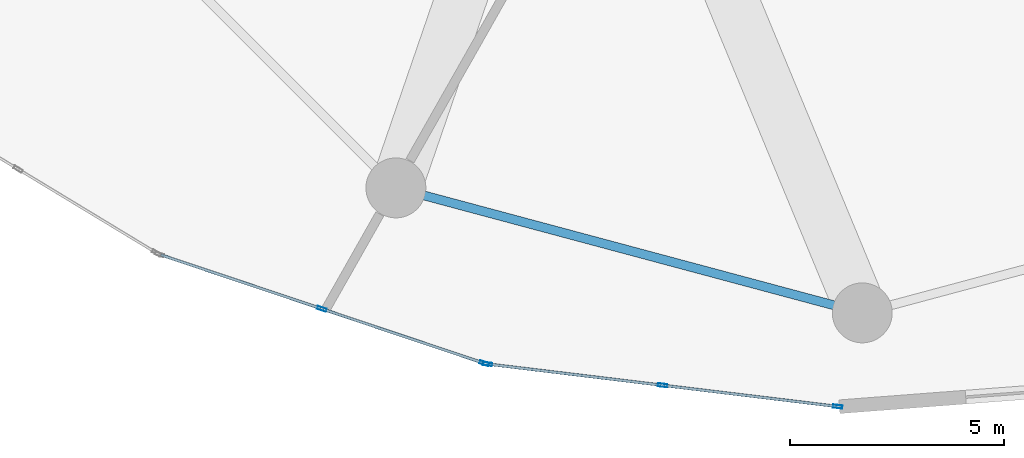
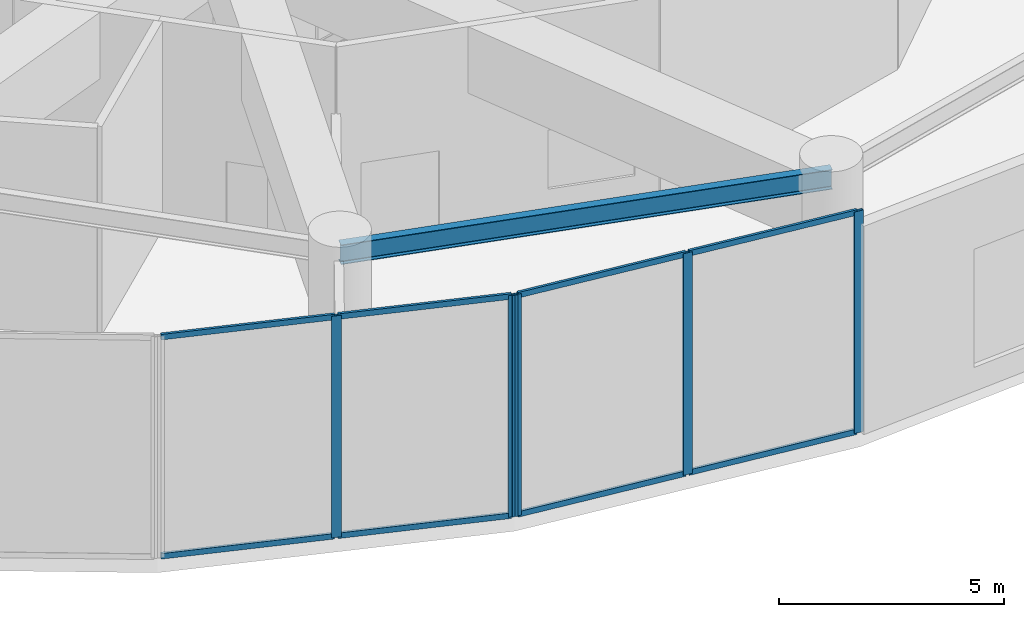
# One storey, part 5 of 28: 13 members, 1 beam, 2 elements without a shape of their own.
"""IFC4 building model written with IfcOpenShell, lengths in metres."""

from ifc_helpers import new_model, si_unit, direction, frame, origin, origin_2d, place, context, subcontext, project, spatial, hollow_rectangle, i_section, extrude, source, transform, mapped, material, layer, layer_set, material_profile, profile_set, type_object, element, aggregate, save


model = new_model("IFC4")

# Units and contexts
model_context = context("Model", 3, precision=1e-05, world=origin(), true_north=direction((0.0, 1.0)))
body_context = subcontext(model_context, "Body", "Model", "MODEL_VIEW")
ifc_project = project(units=[si_unit("LENGTHUNIT", "METRE"), si_unit("AREAUNIT", "SQUARE_METRE"), si_unit("VOLUMEUNIT", "CUBIC_METRE"), si_unit("PLANEANGLEUNIT", "RADIAN"), si_unit("MASSUNIT", "GRAM", prefix="KILO")], contexts=[model_context])

# Site, building, storey
site_placement = place(None, origin())
site = spatial("IfcSite", under=ifc_project, at=site_placement, CompositionType="ELEMENT")
building_placement = place(site_placement, origin())
building = spatial("IfcBuilding", under=site, at=building_placement, Name="Solvirekh Grand Hotel", CompositionType="ELEMENT")
storey_placement = place(building_placement, frame((0.0, 0.0, 12.60009765625)))
storey = spatial("IfcBuildingStorey", under=building, at=storey_placement, Name="L02", CompositionType="ELEMENT", Elevation=12.60009765625)

# Beam
ifc_material_1 = material(Name="Steel S355", Category="steel")
ifc_material_profile_1 = material_profile(ifc_material_1, i_section(OverallWidth=0.208984375, OverallDepth=0.532958984375, WebThickness=0.010009765625, FlangeThickness=0.014892578125, FilletRadius=0.013916015625, at=origin_2d()), Name="W530X92")
ifc_profile_set_1 = profile_set([ifc_material_profile_1], Name="Steel S355")
beam_type = type_object("IfcBeamType", Name="Spandrel_Ring_W530", PredefinedType="SPANDREL", material=ifc_profile_set_1)
beam_placement = place(storey_placement, frame((-10.89990234375, -18.87890625, 5.372802734375), z_axis=(0.965914248703, -0.258862249378, 0.0), x_axis=(0.258862249378, 0.965914248703, 0.0)))
element("IfcBeam", 1, at=beam_placement, inside=storey, type_object=beam_type, Name="L02 perimeter spandrel beam 9", PredefinedType="SPANDREL", context=body_context, shape_type="SweptSolid", body=[
    extrude(i_section(OverallWidth=0.208984375, OverallDepth=0.532958984375, WebThickness=0.010009765625, FlangeThickness=0.014892578125, FilletRadius=0.013916015625, at=origin_2d()), origin(), (0.0, 0.0, 1.0), 11.284423828125),
])

# Curtain wall, members
ifc_material_2 = material(Name="Anodized Bronze Aluminium 6063-T6", Category="aluminium")
ifc_layer = layer(ifc_material_2, 0.219970703125)
ifc_layer_set = layer_set([ifc_layer], Name="Anodized Bronze Aluminium 6063-T6")
curtain_wall_type = type_object("IfcCurtainWallType", Name="CW_Sys1_PodiumBronzeUnitised", PredefinedType="NOTDEFINED", material=ifc_layer_set)
curtain_wall_1_placement = place(storey_placement, origin())
curtain_wall_1 = element("IfcCurtainWall", 2, at=curtain_wall_1_placement, inside=storey, type_object=curtain_wall_type, Name="L02 unitised bronze-glass curtain wall CW-L02-C17", PredefinedType="NOTDEFINED")
ifc_material_profile_2 = material_profile(ifc_material_2, hollow_rectangle(XDim=0.074951171875, YDim=0.219970703125, WallThickness=0.006103515625, at=origin_2d()), Name="ALU RHS 220X75X6")
ifc_profile_set_2 = profile_set([ifc_material_profile_2], Name="Anodized Bronze Aluminium 6063-T6")
member_type_1 = type_object("IfcMemberType", Name="CWMullion_Sys1", PredefinedType="MULLION", material=ifc_profile_set_2)
shared_shape_1 = source(origin(), body_context, "Body", "SweptSolid", [
    extrude(hollow_rectangle(XDim=0.074951171875, YDim=0.219970703125, WallThickness=0.006103515625, at=origin_2d()), origin(), (0.0, 0.0, 1.0), 6.0),
])
member_1_placement = place(storey_placement, frame((-12.62890625, -21.70654296875, 0.0), z_axis=(0.0, 0.0, 1.0), x_axis=(0.317897817007, 0.948124980128, 0.0)))
member_1 = element("IfcMember", 3, at=member_1_placement, type_object=member_type_1, Name="U01 mullion 2", PredefinedType="MULLION", context=body_context, shape_type="MappedRepresentation", body=[
    mapped(shared_shape_1, transform((0.0, 0.0, 0.0), x_axis=(1.0, 0.0, 0.0), y_axis=(0.0, 1.0, 0.0), z_axis=(0.0, 0.0, 1.0), scale=1.0)),
])
member_2_placement = place(storey_placement, frame((-8.83349609375, -22.97900390625, 0.0), z_axis=(0.0, 0.0, 1.0), x_axis=(0.317897817007, 0.948124980128, 0.0)))
member_2 = element("IfcMember", 4, at=member_2_placement, type_object=member_type_1, Name="U01 mullion 3", PredefinedType="MULLION", context=body_context, shape_type="MappedRepresentation", body=[
    mapped(shared_shape_1, transform((0.0, 0.0, 0.0), x_axis=(1.0, 0.0, 0.0), y_axis=(0.0, 1.0, 0.0), z_axis=(0.0, 0.0, 1.0), scale=1.0)),
])

curtain_wall_2_placement = place(storey_placement, origin())
curtain_wall_2 = element("IfcCurtainWall", 5, at=curtain_wall_2_placement, inside=storey, type_object=curtain_wall_type, Name="L02 unitised bronze-glass curtain wall CW-L02-C18", PredefinedType="NOTDEFINED")
member_3_placement = place(storey_placement, frame((-8.7607421875, -22.99560546875, 0.0), z_axis=(0.0, 0.0, 1.0), x_axis=(0.12051436912, 0.992711582906, 0.0)))
member_3 = element("IfcMember", 6, at=member_3_placement, type_object=member_type_1, Name="U01 mullion 1", PredefinedType="MULLION", context=body_context, shape_type="MappedRepresentation", body=[
    mapped(shared_shape_1, transform((0.0, 0.0, 0.0), x_axis=(1.0, 0.0, 0.0), y_axis=(0.0, 1.0, 0.0), z_axis=(0.0, 0.0, 1.0), scale=1.0)),
])
member_4_placement = place(storey_placement, frame((-4.6669921875, -23.492431640625, 0.0), z_axis=(0.0, 0.0, 1.0), x_axis=(0.12051436912, 0.992711582906, 0.0)))
member_4 = element("IfcMember", 7, at=member_4_placement, type_object=member_type_1, Name="U01 mullion 2", PredefinedType="MULLION", context=body_context, shape_type="MappedRepresentation", body=[
    mapped(shared_shape_1, transform((0.0, 0.0, 0.0), x_axis=(1.0, 0.0, 0.0), y_axis=(0.0, 1.0, 0.0), z_axis=(0.0, 0.0, 1.0), scale=1.0)),
])
member_5_placement = place(storey_placement, frame((-0.5732421875, -23.989501953125, 0.0), z_axis=(0.0, 0.0, 1.0), x_axis=(0.12051436912, 0.992711582906, 0.0)))
member_5 = element("IfcMember", 8, at=member_5_placement, type_object=member_type_1, Name="U01 mullion 3", PredefinedType="MULLION", context=body_context, shape_type="MappedRepresentation", body=[
    mapped(shared_shape_1, transform((0.0, 0.0, 0.0), x_axis=(1.0, 0.0, 0.0), y_axis=(0.0, 1.0, 0.0), z_axis=(0.0, 0.0, 1.0), scale=1.0)),
])

# Member
ifc_material_profile_3 = material_profile(ifc_material_2, hollow_rectangle(XDim=0.06494140625, YDim=0.14990234375, WallThickness=0.0048828125, at=origin_2d()), Name="ALU RHS 150X65X5")
ifc_profile_set_3 = profile_set([ifc_material_profile_3], Name="Anodized Bronze Aluminium 6063-T6")
member_type_2 = type_object("IfcMemberType", Name="CWTransom_Sys1", PredefinedType="USERDEFINED", material=ifc_profile_set_3)
shared_shape_2 = source(origin(), body_context, "Body", "SweptSolid", [
    extrude(hollow_rectangle(XDim=0.06494140625, YDim=0.14990234375, WallThickness=0.0048828125, at=origin_2d()), origin(), (0.0, 0.0, 1.0), 3.92822265625),
])
member_6_placement = place(storey_placement, frame((-16.388916015625, -20.44580078125, 0.032470703125), z_axis=(0.948122449612, -0.317905364128, 0.0), x_axis=(0.317905364128, 0.948122449612, 0.0)))
member_6 = element("IfcMember", 9, at=member_6_placement, type_object=member_type_2, Name="U01 transom 1.1", ObjectType="TRANSOM", PredefinedType="USERDEFINED", context=body_context, shape_type="MappedRepresentation", body=[
    mapped(shared_shape_2, transform((0.0, 0.0, 0.0), x_axis=(1.0, 0.0, 0.0), y_axis=(0.0, 1.0, 0.0), z_axis=(0.0, 0.0, 1.0), scale=1.0)),
])

member_7_placement = place(storey_placement, frame((-16.388916015625, -20.44580078125, 5.96728515625), z_axis=(0.948122449612, -0.317905364128, 0.0), x_axis=(0.317905364128, 0.948122449612, 0.0)))
member_7 = element("IfcMember", 10, at=member_7_placement, type_object=member_type_2, Name="U01 transom 1.2", ObjectType="TRANSOM", PredefinedType="USERDEFINED", context=body_context, shape_type="MappedRepresentation", body=[
    mapped(shared_shape_2, transform((0.0, 0.0, 0.0), x_axis=(1.0, 0.0, 0.0), y_axis=(0.0, 1.0, 0.0), z_axis=(0.0, 0.0, 1.0), scale=1.0)),
])

shared_shape_3 = source(origin(), body_context, "Body", "SweptSolid", [
    extrude(hollow_rectangle(XDim=0.06494140625, YDim=0.14990234375, WallThickness=0.0048828125, at=origin_2d()), origin(), (0.0, 0.0, 1.0), 3.927978515625),
])
member_8_placement = place(storey_placement, frame((-12.593505859375, -21.718505859375, 0.032470703125), z_axis=(0.948141181646, -0.317849492162, 0.0), x_axis=(0.317849492162, 0.948141181646, 0.0)))
member_8 = element("IfcMember", 11, at=member_8_placement, type_object=member_type_2, Name="U01 transom 2.1", ObjectType="TRANSOM", PredefinedType="USERDEFINED", context=body_context, shape_type="MappedRepresentation", body=[
    mapped(shared_shape_3, transform((0.0, 0.0, 0.0), x_axis=(1.0, 0.0, 0.0), y_axis=(0.0, 1.0, 0.0), z_axis=(0.0, 0.0, 1.0), scale=1.0)),
])

member_9_placement = place(storey_placement, frame((-12.593505859375, -21.718505859375, 5.96728515625), z_axis=(0.948141181646, -0.317849492162, 0.0), x_axis=(0.317849492162, 0.948141181646, 0.0)))
member_9 = element("IfcMember", 12, at=member_9_placement, type_object=member_type_2, Name="U01 transom 2.2", ObjectType="TRANSOM", PredefinedType="USERDEFINED", context=body_context, shape_type="MappedRepresentation", body=[
    mapped(shared_shape_3, transform((0.0, 0.0, 0.0), x_axis=(1.0, 0.0, 0.0), y_axis=(0.0, 1.0, 0.0), z_axis=(0.0, 0.0, 1.0), scale=1.0)),
])

aggregate(curtain_wall_1, [member_1, member_2, member_6, member_7, member_8, member_9])

shared_shape_4 = source(origin(), body_context, "Body", "SweptSolid", [
    extrude(hollow_rectangle(XDim=0.06494140625, YDim=0.14990234375, WallThickness=0.0048828125, at=origin_2d()), origin(), (0.0, 0.0, 1.0), 4.048828125),
])
member_10_placement = place(storey_placement, frame((-8.7236328125, -23.0, 0.032470703125), z_axis=(0.99270865843, -0.12053845643, 0.0), x_axis=(0.12053845643, 0.99270865843, 0.0)))
member_10 = element("IfcMember", 13, at=member_10_placement, type_object=member_type_2, Name="U01 transom 1.1", ObjectType="TRANSOM", PredefinedType="USERDEFINED", context=body_context, shape_type="MappedRepresentation", body=[
    mapped(shared_shape_4, transform((0.0, 0.0, 0.0), x_axis=(1.0, 0.0, 0.0), y_axis=(0.0, 1.0, 0.0), z_axis=(0.0, 0.0, 1.0), scale=1.0)),
])

member_11_placement = place(storey_placement, frame((-8.7236328125, -23.0, 5.96728515625), z_axis=(0.99270865843, -0.12053845643, 0.0), x_axis=(0.12053845643, 0.99270865843, 0.0)))
member_11 = element("IfcMember", 14, at=member_11_placement, type_object=member_type_2, Name="U01 transom 1.2", ObjectType="TRANSOM", PredefinedType="USERDEFINED", context=body_context, shape_type="MappedRepresentation", body=[
    mapped(shared_shape_4, transform((0.0, 0.0, 0.0), x_axis=(1.0, 0.0, 0.0), y_axis=(0.0, 1.0, 0.0), z_axis=(0.0, 0.0, 1.0), scale=1.0)),
])

shared_shape_5 = source(origin(), body_context, "Body", "SweptSolid", [
    extrude(hollow_rectangle(XDim=0.06494140625, YDim=0.14990234375, WallThickness=0.0048828125, at=origin_2d()), origin(), (0.0, 0.0, 1.0), 4.049072265625),
])
member_12_placement = place(storey_placement, frame((-4.6298828125, -23.4970703125, 0.032470703125), z_axis=(0.992716747286, -0.120471821008, 0.0), x_axis=(0.120471821008, 0.992716747286, 0.0)))
member_12 = element("IfcMember", 15, at=member_12_placement, type_object=member_type_2, Name="U01 transom 2.1", ObjectType="TRANSOM", PredefinedType="USERDEFINED", context=body_context, shape_type="MappedRepresentation", body=[
    mapped(shared_shape_5, transform((0.0, 0.0, 0.0), x_axis=(1.0, 0.0, 0.0), y_axis=(0.0, 1.0, 0.0), z_axis=(0.0, 0.0, 1.0), scale=1.0)),
])

member_13_placement = place(storey_placement, frame((-4.6298828125, -23.4970703125, 5.96728515625), z_axis=(0.992716747286, -0.120471821008, 0.0), x_axis=(0.120471821008, 0.992716747286, 0.0)))
member_13 = element("IfcMember", 16, at=member_13_placement, type_object=member_type_2, Name="U01 transom 2.2", ObjectType="TRANSOM", PredefinedType="USERDEFINED", context=body_context, shape_type="MappedRepresentation", body=[
    mapped(shared_shape_5, transform((0.0, 0.0, 0.0), x_axis=(1.0, 0.0, 0.0), y_axis=(0.0, 1.0, 0.0), z_axis=(0.0, 0.0, 1.0), scale=1.0)),
])

aggregate(curtain_wall_2, [member_3, member_4, member_5, member_10, member_11, member_12, member_13])

save(model, "model.ifc")
